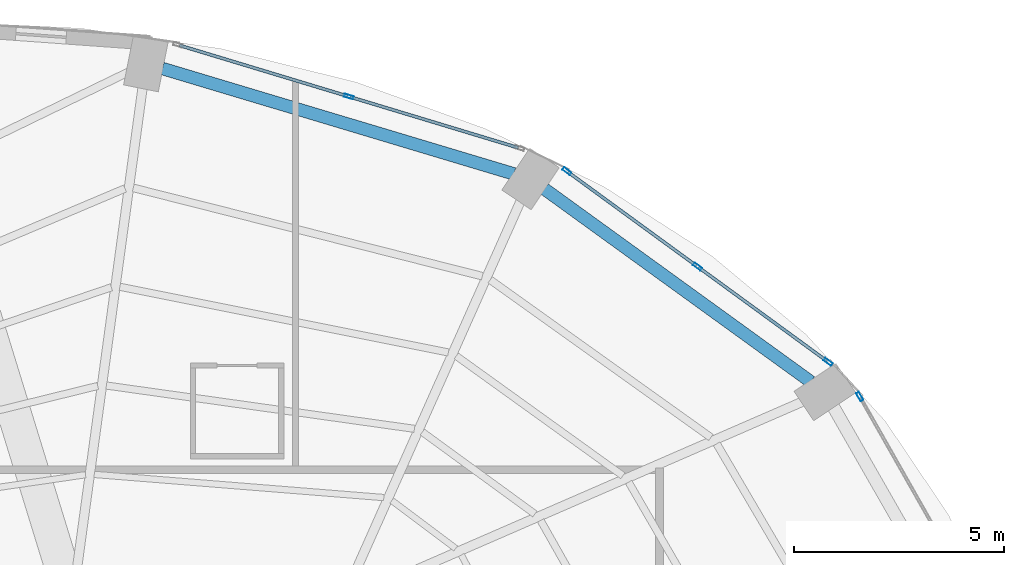
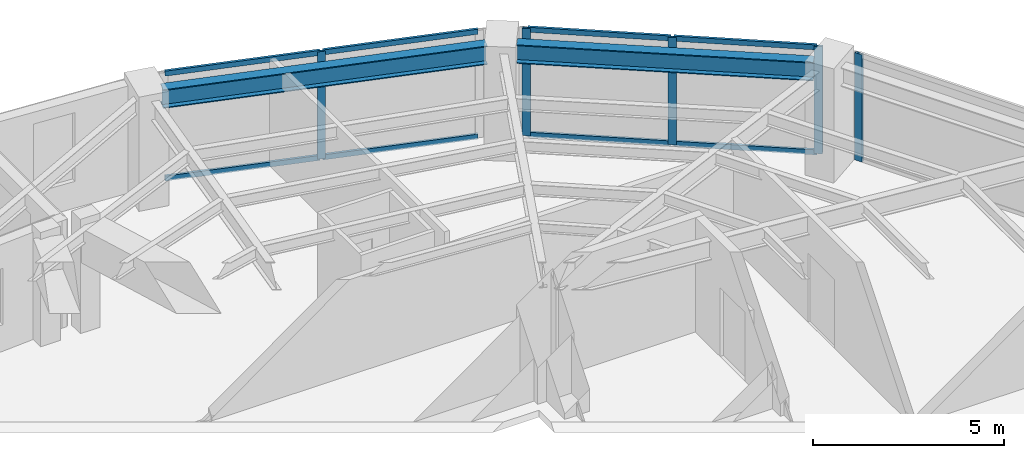
# One storey, part 18 of 24: 13 members, 2 beams, 3 elements without a shape of their own.
"""IFC4 building model written with IfcOpenShell, lengths in metres."""

from ifc_helpers import new_model, si_unit, direction, frame, origin, origin_2d, place, context, subcontext, project, spatial, hollow_rectangle, i_section, extrude, material, layer, layer_set, material_profile, profile_set, type_object, element, aggregate, save


model = new_model("IFC4")

# Units and contexts
model_context = context("Model", 3, precision=1e-05, world=origin(), true_north=direction((0.0, 1.0)))
body_context = subcontext(model_context, "Body", "Model", "MODEL_VIEW")
ifc_project = project(units=[si_unit("LENGTHUNIT", "METRE"), si_unit("AREAUNIT", "SQUARE_METRE"), si_unit("VOLUMEUNIT", "CUBIC_METRE"), si_unit("PLANEANGLEUNIT", "RADIAN"), si_unit("MASSUNIT", "GRAM", prefix="KILO")], contexts=[model_context])

# Site, building, storey
site_placement = place(None, origin())
site = spatial("IfcSite", under=ifc_project, at=site_placement, CompositionType="ELEMENT")
building_placement = place(site_placement, origin())
building = spatial("IfcBuilding", under=site, at=building_placement, Name="Lazwardi Medical Tower", CompositionType="ELEMENT")
storey_placement = place(building_placement, frame((0.0, 0.0, 110.927978515625)))
storey = spatial("IfcBuildingStorey", under=building, at=storey_placement, Name="L28", CompositionType="ELEMENT", Elevation=110.927978515625)

# Beams
ifc_material_1 = material(Name="Steel S355", Category="steel")
ifc_material_profile_1 = material_profile(ifc_material_1, i_section(OverallWidth=0.300048828125, OverallDepth=0.60009765625, WebThickness=0.015380859375, FlangeThickness=0.030029296875, at=origin_2d()), Name="HEB 600")
ifc_profile_set_1 = profile_set([ifc_material_profile_1], Name="Steel S355")
beam_type = type_object("IfcBeamType", Name="BM-RB-Z2", PredefinedType="BEAM", material=ifc_profile_set_1)
beam_1_placement = place(storey_placement, frame((56.74560546875, 40.835205078125, 3.1279296875), z_axis=(-0.81005674773, 0.586351486275, 0.0), x_axis=(-0.586351486275, -0.81005674773, 0.0)))
element("IfcBeam", 1, at=beam_1_placement, inside=storey, type_object=beam_type, Name="Ring beam RB-03 B06 L28", PredefinedType="BEAM", context=body_context, shape_type="SweptSolid", body=[
    extrude(i_section(OverallWidth=0.300048828125, OverallDepth=0.60009765625, WebThickness=0.015380859375, FlangeThickness=0.030029296875, at=origin_2d()), origin(), (0.0, 0.0, 1.0), 7.81396484375),
])
beam_2_placement = place(storey_placement, frame((49.69091796875, 45.775390625, 3.1279296875), z_axis=(-0.957879438442, 0.287170648587, 0.0), x_axis=(-0.287170648587, -0.957879438442, 0.0)))
element("IfcBeam", 2, at=beam_2_placement, inside=storey, type_object=beam_type, Name="Ring beam RB-03 B07 L28", PredefinedType="BEAM", context=body_context, shape_type="SweptSolid", body=[
    extrude(i_section(OverallWidth=0.300048828125, OverallDepth=0.60009765625, WebThickness=0.015380859375, FlangeThickness=0.030029296875, at=origin_2d()), origin(), (0.0, 0.0, 1.0), 8.719970703125),
])

# Curtain wall, member
ifc_material_2 = material(Name="Anodised bronze aluminium and solar control glazing", Category="aluminium")
ifc_layer = layer(ifc_material_2, 0.195068359375)
ifc_layer_set = layer_set([ifc_layer], Name="Anodised bronze aluminium and solar control glazing")
curtain_wall_type = type_object("IfcCurtainWallType", Name="CW-SYS-03", PredefinedType="NOTDEFINED", material=ifc_layer_set)
curtain_wall_1_placement = place(storey_placement, origin())
curtain_wall_1 = element("IfcCurtainWall", 3, at=curtain_wall_1_placement, inside=storey, type_object=curtain_wall_type, Name="L28 Unitised bronze curtain wall CW-03", PredefinedType="NOTDEFINED")
ifc_material_3 = material(Name="Anodised bronze aluminium", Category="aluminium")
ifc_material_profile_2 = material_profile(ifc_material_3, hollow_rectangle(XDim=0.074951171875, YDim=0.219970703125, WallThickness=0.00390625, at=origin_2d()), Name="ALU-MULLION 220x75x4")
ifc_profile_set_2 = profile_set([ifc_material_profile_2], Name="Anodised bronze aluminium")
member_type_1 = type_object("IfcMemberType", Name="CW-MUL-01", PredefinedType="MULLION", material=ifc_profile_set_2)
member_1_placement = place(storey_placement, frame((57.9072265625, 40.48583984375, 0.0), z_axis=(0.0, 0.0, 1.0), x_axis=(-0.869687265712, -0.493603140041, 0.0)))
member_1 = element("IfcMember", 4, at=member_1_placement, type_object=member_type_1, Name="CW-03 mullion 2", PredefinedType="MULLION", context=body_context, shape_type="SweptSolid", body=[
    extrude(hollow_rectangle(XDim=0.074951171875, YDim=0.219970703125, WallThickness=0.00390625, at=origin_2d()), origin(), (0.0, 0.0, 1.0), 3.427978515625),
])
aggregate(curtain_wall_1, [member_1])

# Curtain wall, members
curtain_wall_2_placement = place(storey_placement, origin())
curtain_wall_2 = element("IfcCurtainWall", 5, at=curtain_wall_2_placement, inside=storey, type_object=curtain_wall_type, Name="L28 Unitised bronze curtain wall CW-03", PredefinedType="NOTDEFINED")
member_2_placement = place(storey_placement, frame((57.155029296875, 41.308837890625, 0.0), z_axis=(0.0, 0.0, 1.0), x_axis=(-0.589530882802, -0.807745837639, 0.0)))
member_2 = element("IfcMember", 6, at=member_2_placement, type_object=member_type_1, Name="CW-03 mullion 1", PredefinedType="MULLION", context=body_context, shape_type="SweptSolid", body=[
    extrude(hollow_rectangle(XDim=0.074951171875, YDim=0.219970703125, WallThickness=0.00390625, at=origin_2d()), origin(), (0.0, 0.0, 1.0), 3.427978515625),
])
member_3_placement = place(storey_placement, frame((54.051025390625, 43.57421875, 0.0), z_axis=(0.0, 0.0, 1.0), x_axis=(-0.589530882802, -0.807745837639, 0.0)))
member_3 = element("IfcMember", 7, at=member_3_placement, type_object=member_type_1, Name="CW-03 mullion 2", PredefinedType="MULLION", context=body_context, shape_type="SweptSolid", body=[
    extrude(hollow_rectangle(XDim=0.074951171875, YDim=0.219970703125, WallThickness=0.00390625, at=origin_2d()), origin(), (0.0, 0.0, 1.0), 3.427978515625),
])
member_4_placement = place(storey_placement, frame((50.947265625, 45.839599609375, 0.0), z_axis=(0.0, 0.0, 1.0), x_axis=(-0.589530882802, -0.807745837639, 0.0)))
member_4 = element("IfcMember", 8, at=member_4_placement, type_object=member_type_1, Name="CW-03 mullion 3", PredefinedType="MULLION", context=body_context, shape_type="SweptSolid", body=[
    extrude(hollow_rectangle(XDim=0.074951171875, YDim=0.219970703125, WallThickness=0.00390625, at=origin_2d()), origin(), (0.0, 0.0, 1.0), 3.427978515625),
])

# Curtain wall, member
curtain_wall_3_placement = place(storey_placement, origin())
curtain_wall_3 = element("IfcCurtainWall", 9, at=curtain_wall_3_placement, inside=storey, type_object=curtain_wall_type, Name="L28 Unitised bronze curtain wall CW-03", PredefinedType="NOTDEFINED")
member_5_placement = place(storey_placement, frame((45.769287109375, 47.613037109375, 0.0), z_axis=(0.0, 0.0, 1.0), x_axis=(-0.28937381157, -0.957216170558, 0.0)))
member_5 = element("IfcMember", 10, at=member_5_placement, type_object=member_type_1, Name="CW-03 mullion 2", PredefinedType="MULLION", context=body_context, shape_type="SweptSolid", body=[
    extrude(hollow_rectangle(XDim=0.074951171875, YDim=0.219970703125, WallThickness=0.00390625, at=origin_2d()), origin(), (0.0, 0.0, 1.0), 3.427978515625),
])

# Member
ifc_material_profile_3 = material_profile(ifc_material_3, hollow_rectangle(XDim=0.074951171875, YDim=0.159912109375, WallThickness=0.00390625, at=origin_2d()), Name="ALU-TRANSOM 160x75x4")
ifc_profile_set_3 = profile_set([ifc_material_profile_3], Name="Anodised bronze aluminium")
member_type_2 = type_object("IfcMemberType", Name="CW-TRN-01", PredefinedType="USERDEFINED", material=ifc_profile_set_3)
member_6_placement = place(storey_placement, frame((57.12451171875, 41.3310546875, 0.03759765625), z_axis=(-0.807731734271, 0.589550206049, 0.0), x_axis=(-0.589550206049, -0.807731734271, 0.0)))
member_6 = element("IfcMember", 11, at=member_6_placement, type_object=member_type_2, Name="CW-03 transom 1.1", ObjectType="TRANSOM", PredefinedType="USERDEFINED", context=body_context, shape_type="SweptSolid", body=[
    extrude(hollow_rectangle(XDim=0.074951171875, YDim=0.159912109375, WallThickness=0.00390625, at=origin_2d()), origin(), (0.0, 0.0, 1.0), 3.767578125),
])

member_7_placement = place(storey_placement, frame((57.12451171875, 41.3310546875, 3.390625), z_axis=(-0.807731734271, 0.589550206049, 0.0), x_axis=(-0.589550206049, -0.807731734271, 0.0)))
member_7 = element("IfcMember", 12, at=member_7_placement, type_object=member_type_2, Name="CW-03 transom 1.2", ObjectType="TRANSOM", PredefinedType="USERDEFINED", context=body_context, shape_type="SweptSolid", body=[
    extrude(hollow_rectangle(XDim=0.074951171875, YDim=0.159912109375, WallThickness=0.00390625, at=origin_2d()), origin(), (0.0, 0.0, 1.0), 3.767578125),
])

member_8_placement = place(storey_placement, frame((54.020751953125, 43.596435546875, 0.03759765625), z_axis=(-0.80776259199, 0.58950792614, 0.0), x_axis=(-0.58950792614, -0.80776259199, 0.0)))
member_8 = element("IfcMember", 13, at=member_8_placement, type_object=member_type_2, Name="CW-03 transom 2.1", ObjectType="TRANSOM", PredefinedType="USERDEFINED", context=body_context, shape_type="SweptSolid", body=[
    extrude(hollow_rectangle(XDim=0.074951171875, YDim=0.159912109375, WallThickness=0.00390625, at=origin_2d()), origin(), (0.0, 0.0, 1.0), 3.767578125),
])

member_9_placement = place(storey_placement, frame((54.020751953125, 43.596435546875, 3.390625), z_axis=(-0.80776259199, 0.58950792614, 0.0), x_axis=(-0.58950792614, -0.80776259199, 0.0)))
member_9 = element("IfcMember", 14, at=member_9_placement, type_object=member_type_2, Name="CW-03 transom 2.2", ObjectType="TRANSOM", PredefinedType="USERDEFINED", context=body_context, shape_type="SweptSolid", body=[
    extrude(hollow_rectangle(XDim=0.074951171875, YDim=0.159912109375, WallThickness=0.00390625, at=origin_2d()), origin(), (0.0, 0.0, 1.0), 3.767578125),
])

aggregate(curtain_wall_2, [member_2, member_3, member_4, member_6, member_7, member_8, member_9])

member_10_placement = place(storey_placement, frame((49.79248046875, 46.396728515625, 0.03759765625), z_axis=(-0.957204630929, 0.289411980623, 0.0), x_axis=(-0.289411980623, -0.957204630929, 0.0)))
member_10 = element("IfcMember", 15, at=member_10_placement, type_object=member_type_2, Name="CW-03 transom 1.1", ObjectType="TRANSOM", PredefinedType="USERDEFINED", context=body_context, shape_type="SweptSolid", body=[
    extrude(hollow_rectangle(XDim=0.074951171875, YDim=0.159912109375, WallThickness=0.00390625, at=origin_2d()), origin(), (0.0, 0.0, 1.0), 4.16552734375),
])

member_11_placement = place(storey_placement, frame((49.79248046875, 46.396728515625, 3.390625), z_axis=(-0.957204630929, 0.289411980623, 0.0), x_axis=(-0.289411980623, -0.957204630929, 0.0)))
member_11 = element("IfcMember", 16, at=member_11_placement, type_object=member_type_2, Name="CW-03 transom 1.2", ObjectType="TRANSOM", PredefinedType="USERDEFINED", context=body_context, shape_type="SweptSolid", body=[
    extrude(hollow_rectangle(XDim=0.074951171875, YDim=0.159912109375, WallThickness=0.00390625, at=origin_2d()), origin(), (0.0, 0.0, 1.0), 4.16552734375),
])

member_12_placement = place(storey_placement, frame((45.7333984375, 47.6240234375, 0.03759765625), z_axis=(-0.957220865985, 0.289358279168, 0.0), x_axis=(-0.289358279168, -0.957220865985, 0.0)))
member_12 = element("IfcMember", 17, at=member_12_placement, type_object=member_type_2, Name="CW-03 transom 2.1", ObjectType="TRANSOM", PredefinedType="USERDEFINED", context=body_context, shape_type="SweptSolid", body=[
    extrude(hollow_rectangle(XDim=0.074951171875, YDim=0.159912109375, WallThickness=0.00390625, at=origin_2d()), origin(), (0.0, 0.0, 1.0), 4.16552734375),
])

member_13_placement = place(storey_placement, frame((45.7333984375, 47.6240234375, 3.390625), z_axis=(-0.957220865985, 0.289358279168, 0.0), x_axis=(-0.289358279168, -0.957220865985, 0.0)))
member_13 = element("IfcMember", 18, at=member_13_placement, type_object=member_type_2, Name="CW-03 transom 2.2", ObjectType="TRANSOM", PredefinedType="USERDEFINED", context=body_context, shape_type="SweptSolid", body=[
    extrude(hollow_rectangle(XDim=0.074951171875, YDim=0.159912109375, WallThickness=0.00390625, at=origin_2d()), origin(), (0.0, 0.0, 1.0), 4.16552734375),
])

aggregate(curtain_wall_3, [member_5, member_10, member_11, member_12, member_13])

save(model, "model.ifc")
